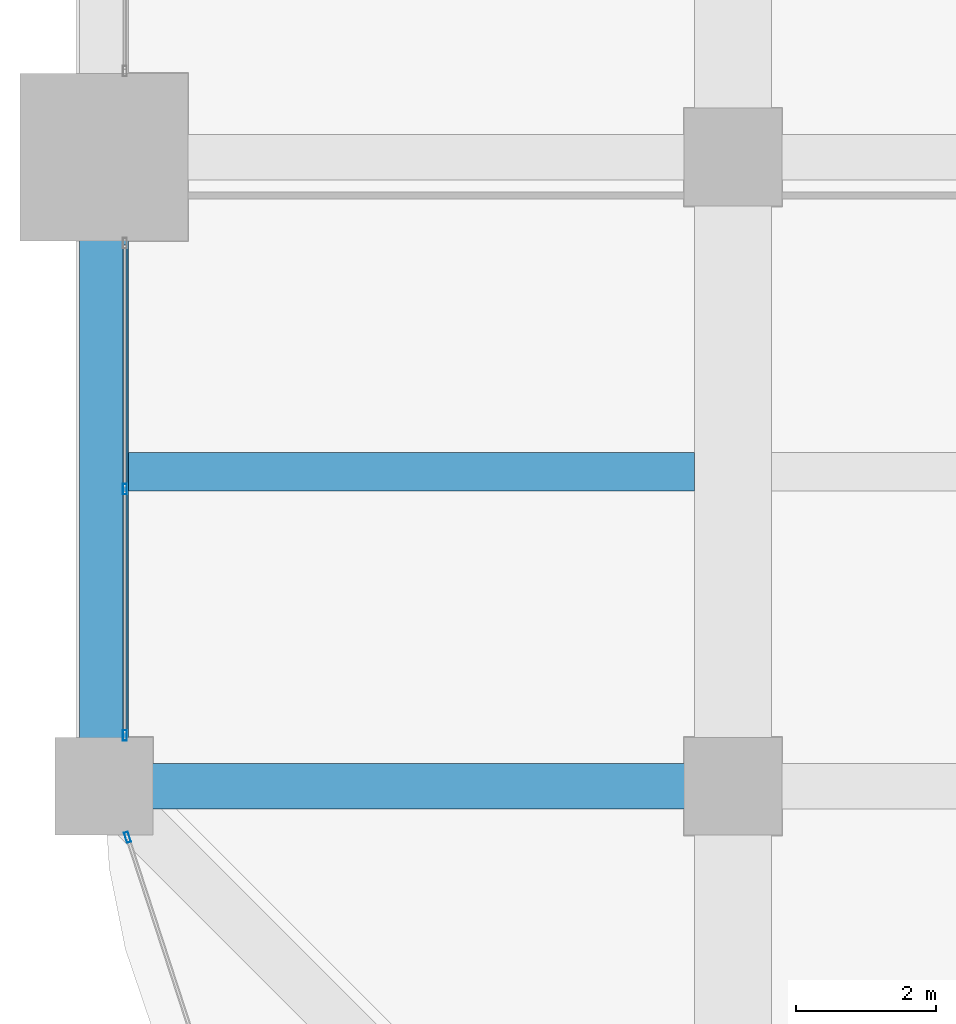
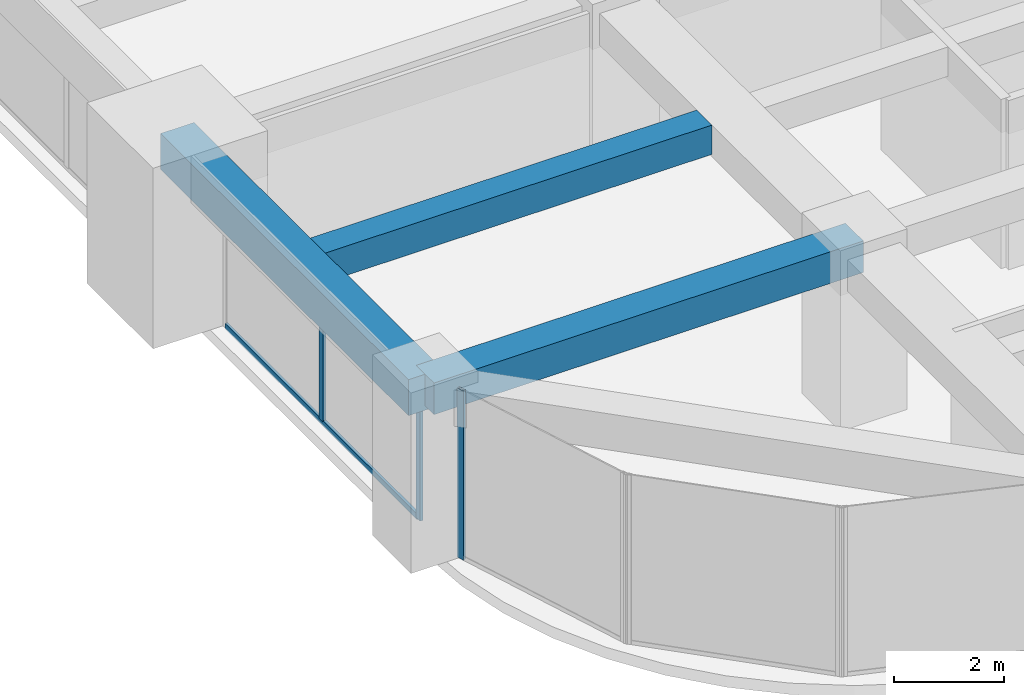
# One storey, part 4 of 33: 4 members, 3 beams, 2 elements without a shape of their own.
"""IFC4 building model written with IfcOpenShell, lengths in metres."""

from ifc_helpers import new_model, si_unit, direction, frame, origin, origin_2d, place, context, subcontext, project, spatial, rectangle, hollow_rectangle, extrude, material, material_profile, profile_set, type_object, element, aggregate, save


model = new_model("IFC4")

# Units and contexts
model_context = context("Model", 3, precision=1e-05, world=origin(), true_north=direction((0.0, 1.0)))
body_context = subcontext(model_context, "Body", "Model", "MODEL_VIEW")
ifc_project = project(units=[si_unit("LENGTHUNIT", "METRE"), si_unit("AREAUNIT", "SQUARE_METRE"), si_unit("VOLUMEUNIT", "CUBIC_METRE"), si_unit("PLANEANGLEUNIT", "RADIAN"), si_unit("MASSUNIT", "GRAM", prefix="KILO")], contexts=[model_context])

# Site, building, storey
site_placement = place(None, origin())
site = spatial("IfcSite", under=ifc_project, at=site_placement, CompositionType="ELEMENT")
building_placement = place(site_placement, origin())
building = spatial("IfcBuilding", under=site, at=building_placement, Name="Zorevar Civic Tower", CompositionType="ELEMENT")
storey_placement = place(building_placement, frame((0.0, 0.0, 206.199951171875)))
storey = spatial("IfcBuildingStorey", under=building, at=storey_placement, Name="L50", CompositionType="ELEMENT", Elevation=206.199951171875)

# Beams
ifc_material_1 = material(Name="Concrete C50/60", Category="concrete")
ifc_material_profile_1 = material_profile(ifc_material_1, rectangle(XDim=0.550048828125, YDim=0.64990234375, at=origin_2d()), Name="RC 550x650")
ifc_profile_set_1 = profile_set([ifc_material_profile_1], Name="Concrete C50/60")
beam_type_1 = type_object("IfcBeamType", Name="Beam RC 550x650", PredefinedType="BEAM", material=ifc_profile_set_1)
beam_1_placement = place(storey_placement, frame((0.35009765625, 13.5, 3.425048828125), z_axis=(1.0, 0.0, 0.0), x_axis=(0.0, 1.0, 0.0)))
element("IfcBeam", 1, at=beam_1_placement, inside=storey, type_object=beam_type_1, Name="Secondary beam L51", PredefinedType="BEAM", context=body_context, shape_type="SweptSolid", body=[
    extrude(rectangle(XDim=0.550048828125, YDim=0.64990234375, at=origin_2d()), origin(), (0.0, 0.0, 1.0), 8.099853515625),
])
ifc_material_2 = material(Name="Concrete C50/60", Category="concrete")
ifc_material_profile_2 = material_profile(ifc_material_2, rectangle(XDim=0.64990234375, YDim=0.699951171875, at=origin_2d()), Name="RC 650x700")
ifc_profile_set_2 = profile_set([ifc_material_profile_2], Name="Concrete C50/60")
beam_type_2 = type_object("IfcBeamType", Name="Beam RC 650x700", PredefinedType="BEAM", material=ifc_profile_set_2)
beam_2_placement = place(storey_placement, frame((0.0, 9.0, 3.400146484375), z_axis=(1.0, 0.0, 0.0), x_axis=(0.0, 1.0, 0.0)))
element("IfcBeam", 2, at=beam_2_placement, inside=storey, type_object=beam_type_2, Name="Girder L51", PredefinedType="BEAM", context=body_context, shape_type="SweptSolid", body=[
    extrude(rectangle(XDim=0.64990234375, YDim=0.699951171875, at=origin_2d()), origin(), (0.0, 0.0, 1.0), 9.0),
])

# Curtain wall, members
ifc_material_3 = material(Name="Dark grey solar-control glass in black aluminium frame", Category="aluminium")
curtain_wall_type = type_object("IfcCurtainWallType", Name="Curtain wall CW4 high zone", PredefinedType="NOTDEFINED", material=ifc_material_3)
curtain_wall_1_placement = place(storey_placement, origin())
curtain_wall_1 = element("IfcCurtainWall", 3, at=curtain_wall_1_placement, inside=storey, type_object=curtain_wall_type, Name="CW4 L50", PredefinedType="NOTDEFINED")
ifc_material_4 = material(Name="Aluminium, black anodised", Category="aluminium")
ifc_material_profile_3 = material_profile(ifc_material_4, hollow_rectangle(XDim=0.06005859375, YDim=0.14990234375, WallThickness=0.00390625, at=origin_2d()), Name="AL 150x60x4")
ifc_profile_set_3 = profile_set([ifc_material_profile_3], Name="Aluminium, black anodised")
member_type_1 = type_object("IfcMemberType", Name="CW4 mullion AL 150x60x4", PredefinedType="MULLION", material=ifc_profile_set_3)
member_1_placement = place(storey_placement, frame((0.300048828125, 9.72998046875, 0.0), z_axis=(0.0, 0.0, 1.0), x_axis=(-1.0, 0.0, 0.0)))
member_1 = element("IfcMember", 4, at=member_1_placement, type_object=member_type_1, Name="CW4 mullion 1", PredefinedType="MULLION", context=body_context, shape_type="SweptSolid", body=[
    extrude(hollow_rectangle(XDim=0.06005859375, YDim=0.14990234375, WallThickness=0.00390625, at=origin_2d()), origin(), (0.0, 0.0, 1.0), 2.949951171875),
])
member_2_placement = place(storey_placement, frame((0.300048828125, 13.25, 0.06005859375), z_axis=(0.0, 0.0, 1.0), x_axis=(-1.0, 0.0, 0.0)))
member_2 = element("IfcMember", 5, at=member_2_placement, type_object=member_type_1, Name="CW4 mullion 2", PredefinedType="MULLION", context=body_context, shape_type="SweptSolid", body=[
    extrude(hollow_rectangle(XDim=0.06005859375, YDim=0.14990234375, WallThickness=0.00390625, at=origin_2d()), origin(), (0.0, 0.0, 1.0), 2.889892578125),
])

# Curtain wall, member
curtain_wall_2_placement = place(storey_placement, origin())
curtain_wall_2 = element("IfcCurtainWall", 6, at=curtain_wall_2_placement, inside=storey, type_object=curtain_wall_type, Name="CW4 L50", PredefinedType="NOTDEFINED")
member_3_placement = place(storey_placement, frame((0.337646484375, 8.271484375, 0.0), z_axis=(0.0, 0.0, 1.0), x_axis=(0.950644749916, 0.310281419775, 0.0)))
member_3 = element("IfcMember", 7, at=member_3_placement, type_object=member_type_1, Name="CW4 mullion 1", PredefinedType="MULLION", context=body_context, shape_type="SweptSolid", body=[
    extrude(hollow_rectangle(XDim=0.06005859375, YDim=0.14990234375, WallThickness=0.00390625, at=origin_2d()), origin(), (0.0, 0.0, 1.0), 3.75),
])
aggregate(curtain_wall_2, [member_3])

# Member
ifc_material_5 = material(Name="Aluminium, black anodised", Category="aluminium")
ifc_material_profile_4 = material_profile(ifc_material_5, hollow_rectangle(XDim=0.06005859375, YDim=0.1201171875, WallThickness=0.0029296875, at=origin_2d()), Name="AL 120x60x3")
ifc_profile_set_4 = profile_set([ifc_material_profile_4], Name="Aluminium, black anodised")
member_type_2 = type_object("IfcMemberType", Name="CW4 transom AL 120x60x3", PredefinedType="USERDEFINED", material=ifc_profile_set_4)
member_4_placement = place(storey_placement, frame((0.300048828125, 9.760009765625, 0.030029296875), z_axis=(0.0, 1.0, 0.0), x_axis=(-1.0, 0.0, 0.0)))
member_4 = element("IfcMember", 8, at=member_4_placement, type_object=member_type_2, Name="CW4 sill transom", ObjectType="TRANSOM", PredefinedType="USERDEFINED", context=body_context, shape_type="SweptSolid", body=[
    extrude(hollow_rectangle(XDim=0.06005859375, YDim=0.1201171875, WallThickness=0.0029296875, at=origin_2d()), origin(), (0.0, 0.0, 1.0), 6.97998046875),
])

aggregate(curtain_wall_1, [member_1, member_2, member_4])

# Beam
ifc_material_6 = material(Name="Concrete C50/60", Category="concrete")
ifc_material_profile_5 = material_profile(ifc_material_6, rectangle(XDim=0.699951171875, YDim=0.800048828125, at=origin_2d()), Name="RC 700x800")
ifc_profile_set_5 = profile_set([ifc_material_profile_5], Name="Concrete C50/60")
beam_type_3 = type_object("IfcBeamType", Name="Edge beam RC 700x800", PredefinedType="SPANDREL", material=ifc_profile_set_5)
beam_3_placement = place(storey_placement, frame((0.0, 9.0, 3.35009765625), z_axis=(0.0, 1.0, 0.0), x_axis=(-1.0, 0.0, 0.0)))
element("IfcBeam", 9, at=beam_3_placement, inside=storey, type_object=beam_type_3, Name="Edge beam L51", PredefinedType="SPANDREL", context=body_context, shape_type="SweptSolid", body=[
    extrude(rectangle(XDim=0.699951171875, YDim=0.800048828125, at=origin_2d()), origin(), (0.0, 0.0, 1.0), 9.0),
])

save(model, "model.ifc")
